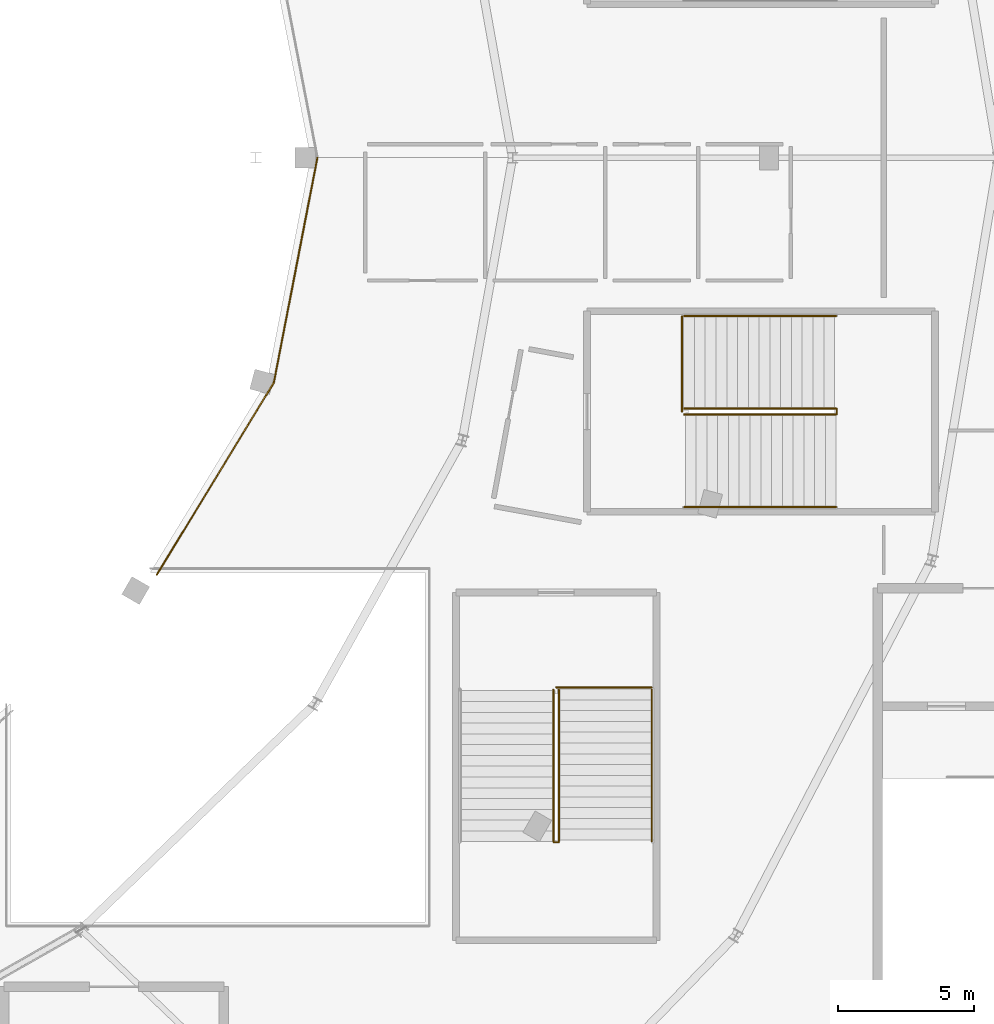
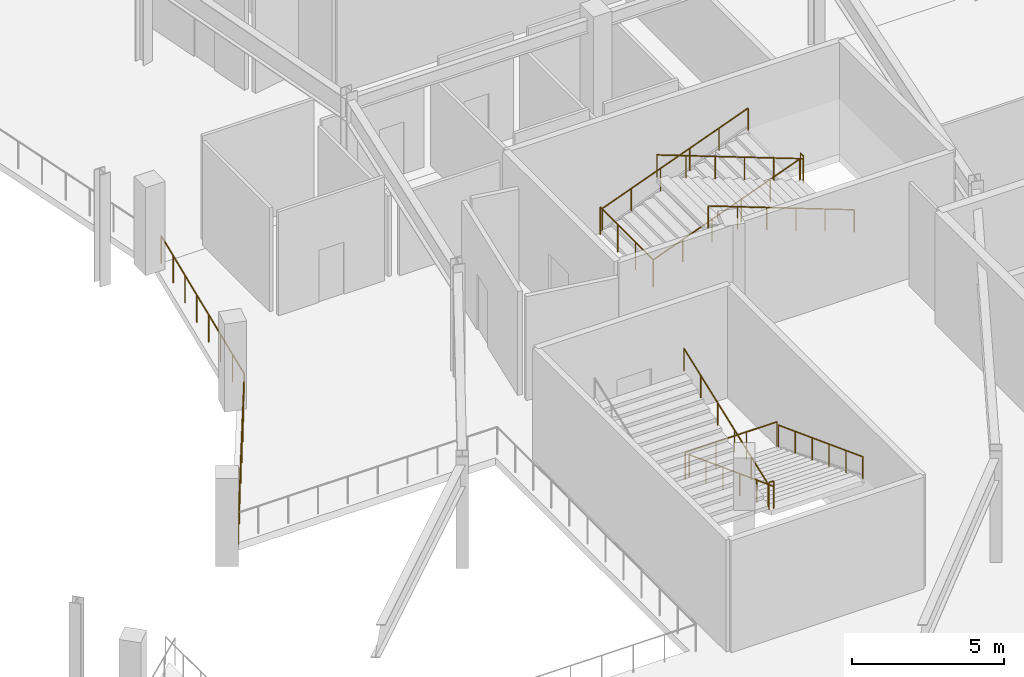
# One storey, part 120 of 123: 13 railings.
"""IFC4 building model written with IfcOpenShell, lengths in metres."""

from ifc_helpers import new_model, si_unit, direction, frame, origin, origin_2d, place, context, subcontext, project, spatial, circle, extrude, material, type_object, element, save


model = new_model("IFC4")

# Units and contexts
model_context = context("Model", 3, precision=1e-05, world=origin(), true_north=direction((0.0, 1.0)))
body_context = subcontext(model_context, "Body", "Model", "MODEL_VIEW")
ifc_project = project(units=[si_unit("LENGTHUNIT", "METRE"), si_unit("AREAUNIT", "SQUARE_METRE"), si_unit("VOLUMEUNIT", "CUBIC_METRE"), si_unit("PLANEANGLEUNIT", "RADIAN"), si_unit("MASSUNIT", "GRAM", prefix="KILO")], contexts=[model_context])

# Site, building, storey
site_placement = place(None, origin())
site = spatial("IfcSite", under=ifc_project, at=site_placement, CompositionType="ELEMENT")
building_placement = place(site_placement, origin())
building = spatial("IfcBuilding", under=site, at=building_placement, Name="Kalgoora Escarpment Arena", CompositionType="ELEMENT")
storey_placement = place(building_placement, frame((0.0, 0.0, 9.89990234375)))
storey = spatial("IfcBuildingStorey", under=building, at=storey_placement, Name="L02", CompositionType="ELEMENT", Elevation=9.89990234375)

# Railings
ifc_material_1 = material(Name="Galvanised & powdercoated tubular steel", Category="steel")
railing_type_1 = type_object("IfcRailingType", Name="RAL-GUARD-1120", PredefinedType="GUARDRAIL", material=ifc_material_1)
railing_1_placement = place(storey_placement, frame((158.280029296875, 54.800048828125, 2.25)))
element("IfcRailing", 1, at=railing_1_placement, inside=storey, type_object=railing_type_1, Name="ST22 L02 half-landing well guard", PredefinedType="GUARDRAIL", context=body_context, shape_type="SweptSolid", body=[
    extrude(circle(Radius=0.02392578125, at=origin_2d()), frame((0.0, 0.0, 1.09619140625), z_axis=(0.0, -1.0, 0.0), x_axis=(1.0, 0.0, 0.0)), (0.0, 0.0, 1.0), 0.199951171875),
    extrude(circle(Radius=0.02099609375, at=origin_2d()), origin(), (0.0, 0.0, 1.0), 1.072021484375),
    extrude(circle(Radius=0.02099609375, at=origin_2d()), frame((0.0, -0.199951171875, 0.0)), (0.0, 0.0, 1.0), 1.072021484375),
])
railing_2_placement = place(storey_placement, frame((152.610107421875, 58.18994140625, 0.0)))
element("IfcRailing", 2, at=railing_2_placement, inside=storey, type_object=railing_type_1, Name="ST22 L02 floor landing well guard", PredefinedType="GUARDRAIL", context=body_context, shape_type="SweptSolid", body=[
    extrude(circle(Radius=0.02392578125, at=origin_2d()), frame((0.0, 0.0, 1.09619140625), z_axis=(0.0, -1.0, 0.0), x_axis=(1.0, 0.0, 0.0)), (0.0, 0.0, 1.0), 3.489990234375),
    extrude(circle(Radius=0.02099609375, at=origin_2d()), origin(), (0.0, 0.0, 1.0), 1.072021484375),
    extrude(circle(Radius=0.02099609375, at=origin_2d()), frame((0.0, -1.163330078125, 0.0)), (0.0, 0.0, 1.0), 1.072021484375),
    extrude(circle(Radius=0.02099609375, at=origin_2d()), frame((0.0, -2.32666015625, 0.0)), (0.0, 0.0, 1.0), 1.072021484375),
    extrude(circle(Radius=0.02099609375, at=origin_2d()), frame((0.0, -3.489990234375, 0.0)), (0.0, 0.0, 1.0), 1.072021484375),
])
railing_3_placement = place(storey_placement, frame((148.090087890625, 38.919921875, 2.25)))
element("IfcRailing", 3, at=railing_3_placement, inside=storey, type_object=railing_type_1, Name="ST24 L02 half-landing well guard", PredefinedType="GUARDRAIL", context=body_context, shape_type="SweptSolid", body=[
    extrude(circle(Radius=0.02392578125, at=origin_2d()), frame((0.0, 0.0, 1.09619140625), z_axis=(-1.0, 0.0, 0.0), x_axis=(0.0, -1.0, 0.0)), (0.0, 0.0, 1.0), 0.18017578125),
    extrude(circle(Radius=0.02099609375, at=origin_2d()), origin(), (0.0, 0.0, 1.0), 1.072021484375),
    extrude(circle(Radius=0.02099609375, at=origin_2d()), frame((-0.18017578125, 0.0, 0.0)), (0.0, 0.0, 1.0), 1.072021484375),
])
railing_4_placement = place(storey_placement, frame((151.489990234375, 44.590087890625, 0.0)))
element("IfcRailing", 4, at=railing_4_placement, inside=storey, type_object=railing_type_1, Name="ST24 L02 floor landing well guard", PredefinedType="GUARDRAIL", context=body_context, shape_type="SweptSolid", body=[
    extrude(circle(Radius=0.02392578125, at=origin_2d()), frame((0.0, 0.0, 1.09619140625), z_axis=(-1.0, 0.0, 0.0), x_axis=(0.0, -1.0, 0.0)), (0.0, 0.0, 1.0), 3.489990234375),
    extrude(circle(Radius=0.02099609375, at=origin_2d()), origin(), (0.0, 0.0, 1.0), 1.072021484375),
    extrude(circle(Radius=0.02099609375, at=origin_2d()), frame((-1.163330078125, 0.0, 0.0)), (0.0, 0.0, 1.0), 1.072021484375),
    extrude(circle(Radius=0.02099609375, at=origin_2d()), frame((-2.32666015625, 0.0, 0.0)), (0.0, 0.0, 1.0), 1.072021484375),
    extrude(circle(Radius=0.02099609375, at=origin_2d()), frame((-3.489990234375, 0.0, 0.0)), (0.0, 0.0, 1.0), 1.072021484375),
])
railing_5_placement = place(storey_placement, frame((133.3662109375, 48.719970703125, 0.0)))
element("IfcRailing", 5, at=railing_5_placement, inside=storey, type_object=railing_type_1, Name="L02 concourse bowl balustrade 23", PredefinedType="GUARDRAIL", context=body_context, shape_type="SweptSolid", body=[
    extrude(circle(Radius=0.02392578125, at=origin_2d()), frame((0.0, 0.0, 1.09619140625), z_axis=(0.520318182164, 0.853972475733, 0.0), x_axis=(-0.853972475733, 0.520318182164, 0.0)), (0.0, 0.0, 1.0), 8.239990234375),
    extrude(circle(Radius=0.02099609375, at=origin_2d()), origin(), (0.0, 0.0, 1.0), 1.072021484375),
    extrude(circle(Radius=0.02099609375, at=origin_2d()), frame((0.612548828125, 1.005126953125, 0.0)), (0.0, 0.0, 1.0), 1.072021484375),
    extrude(circle(Radius=0.02099609375, at=origin_2d()), frame((1.224853515625, 2.010498046875, 0.0)), (0.0, 0.0, 1.0), 1.072021484375),
    extrude(circle(Radius=0.02099609375, at=origin_2d()), frame((1.83740234375, 3.015625, 0.0)), (0.0, 0.0, 1.0), 1.072021484375),
    extrude(circle(Radius=0.02099609375, at=origin_2d()), frame((2.449951171875, 4.02099609375, 0.0)), (0.0, 0.0, 1.0), 1.072021484375),
    extrude(circle(Radius=0.02099609375, at=origin_2d()), frame((3.0625, 5.026123046875, 0.0)), (0.0, 0.0, 1.0), 1.072021484375),
    extrude(circle(Radius=0.02099609375, at=origin_2d()), frame((3.6748046875, 6.031494140625, 0.0)), (0.0, 0.0, 1.0), 1.072021484375),
    extrude(circle(Radius=0.02099609375, at=origin_2d()), frame((4.287353515625, 7.03662109375, 0.0)), (0.0, 0.0, 1.0), 1.072021484375),
])
railing_6_placement = place(storey_placement, frame((137.653564453125, 55.756591796875, 0.0)))
element("IfcRailing", 6, at=railing_6_placement, inside=storey, type_object=railing_type_1, Name="L02 concourse bowl balustrade 24", PredefinedType="GUARDRAIL", context=body_context, shape_type="SweptSolid", body=[
    extrude(circle(Radius=0.02392578125, at=origin_2d()), frame((0.0, 0.0, 1.09619140625), z_axis=(0.190129490405, 0.981759021796, 0.0), x_axis=(-0.981759021796, 0.190129490405, 0.0)), (0.0, 0.0, 1.0), 8.396484375),
    extrude(circle(Radius=0.02099609375, at=origin_2d()), origin(), (0.0, 0.0, 1.0), 1.072021484375),
    extrude(circle(Radius=0.02099609375, at=origin_2d()), frame((0.22802734375, 1.177734375, 0.0)), (0.0, 0.0, 1.0), 1.072021484375),
    extrude(circle(Radius=0.02099609375, at=origin_2d()), frame((0.4560546875, 2.355224609375, 0.0)), (0.0, 0.0, 1.0), 1.072021484375),
    extrude(circle(Radius=0.02099609375, at=origin_2d()), frame((0.68408203125, 3.532958984375, 0.0)), (0.0, 0.0, 1.0), 1.072021484375),
    extrude(circle(Radius=0.02099609375, at=origin_2d()), frame((0.912353515625, 4.71044921875, 0.0)), (0.0, 0.0, 1.0), 1.072021484375),
    extrude(circle(Radius=0.02099609375, at=origin_2d()), frame((1.140380859375, 5.88818359375, 0.0)), (0.0, 0.0, 1.0), 1.072021484375),
    extrude(circle(Radius=0.02099609375, at=origin_2d()), frame((1.368408203125, 7.065673828125, 0.0)), (0.0, 0.0, 1.0), 1.072021484375),
    extrude(circle(Radius=0.02099609375, at=origin_2d()), frame((1.596435546875, 8.243408203125, 0.0)), (0.0, 0.0, 1.0), 1.072021484375),
])
ifc_material_2 = material(Name="Brushed stainless steel 316 handrail", Category="steel")
railing_type_2 = type_object("IfcRailingType", Name="RAL-HAND-920", PredefinedType="HANDRAIL", material=ifc_material_2)
for number, where, name in (
    (7, (152.68994140625, 58.199951171875, 0.110107421875), "ST22 L02 pitched stair handrail F1L"),
    (8, (152.68994140625, 54.81005859375, 0.110107421875), "ST22 L02 pitched stair handrail F1R"),
):
    element("IfcRailing", number, at=place(storey_placement, frame(where)), inside=storey, type_object=railing_type_2, Name=name, PredefinedType="HANDRAIL", context=body_context, shape_type="SweptSolid", body=[
        extrude(circle(Radius=0.02392578125, at=origin_2d()), frame((0.0, 0.0, 0.89599609375), z_axis=(0.935492612948, 0.0, 0.353346248203), x_axis=(0.0, 1.0, 0.0)), (0.0, 0.0, 1.0), 5.943359375),
        extrude(circle(Radius=0.02099609375, at=origin_2d()), origin(), (0.0, 0.0, 1.0), 0.871826171875),
        extrude(circle(Radius=0.02099609375, at=origin_2d()), frame((1.112060546875, 0.0, 0.419921875)), (0.0, 0.0, 1.0), 0.871826171875),
        extrude(circle(Radius=0.02099609375, at=origin_2d()), frame((2.22412109375, 0.0, 0.840087890625)), (0.0, 0.0, 1.0), 0.871826171875),
        extrude(circle(Radius=0.02099609375, at=origin_2d()), frame((3.3359375, 0.0, 1.260009765625)), (0.0, 0.0, 1.0), 0.871826171875),
        extrude(circle(Radius=0.02099609375, at=origin_2d()), frame((4.447998046875, 0.0, 1.68017578125)), (0.0, 0.0, 1.0), 0.871826171875),
        extrude(circle(Radius=0.02099609375, at=origin_2d()), frame((5.56005859375, 0.0, 2.10009765625)), (0.0, 0.0, 1.0), 0.871826171875),
    ])
for number, where, name in (
    (9, (158.25, 54.590087890625, 2.360107421875), "ST22 L02 pitched stair handrail F2L"),
    (10, (158.25, 51.199951171875, 2.360107421875), "ST22 L02 pitched stair handrail F2R"),
):
    element("IfcRailing", number, at=place(storey_placement, frame(where)), inside=storey, type_object=railing_type_2, Name=name, PredefinedType="HANDRAIL", context=body_context, shape_type="SweptSolid", body=[
        extrude(circle(Radius=0.02392578125, at=origin_2d()), frame((0.0, 0.0, 0.89599609375), z_axis=(-0.935492612948, 0.0, 0.353346248203), x_axis=(0.0, -1.0, 0.0)), (0.0, 0.0, 1.0), 5.943359375),
        extrude(circle(Radius=0.02099609375, at=origin_2d()), origin(), (0.0, 0.0, 1.0), 0.871826171875),
        extrude(circle(Radius=0.02099609375, at=origin_2d()), frame((-1.112060546875, 0.0, 0.419921875)), (0.0, 0.0, 1.0), 0.871826171875),
        extrude(circle(Radius=0.02099609375, at=origin_2d()), frame((-2.22412109375, 0.0, 0.840087890625)), (0.0, 0.0, 1.0), 0.871826171875),
        extrude(circle(Radius=0.02099609375, at=origin_2d()), frame((-3.3359375, 0.0, 1.260009765625)), (0.0, 0.0, 1.0), 0.871826171875),
        extrude(circle(Radius=0.02099609375, at=origin_2d()), frame((-4.447998046875, 0.0, 1.68017578125)), (0.0, 0.0, 1.0), 0.871826171875),
        extrude(circle(Radius=0.02099609375, at=origin_2d()), frame((-5.56005859375, 0.0, 2.10009765625)), (0.0, 0.0, 1.0), 0.871826171875),
    ])
for number, where, name in (
    (11, (151.5, 44.510009765625, 0.110107421875), "ST24 L02 pitched stair handrail F1L"),
    (12, (148.10009765625, 44.510009765625, 0.110107421875), "ST24 L02 pitched stair handrail F1R"),
):
    element("IfcRailing", number, at=place(storey_placement, frame(where)), inside=storey, type_object=railing_type_2, Name=name, PredefinedType="HANDRAIL", context=body_context, shape_type="SweptSolid", body=[
        extrude(circle(Radius=0.02392578125, at=origin_2d()), frame((0.0, 0.0, 0.89599609375), z_axis=(0.0, -0.935492612948, 0.353346248203), x_axis=(1.0, 0.0, 0.0)), (0.0, 0.0, 1.0), 5.943359375),
        extrude(circle(Radius=0.02099609375, at=origin_2d()), origin(), (0.0, 0.0, 1.0), 0.871826171875),
        extrude(circle(Radius=0.02099609375, at=origin_2d()), frame((0.0, -1.112060546875, 0.419921875)), (0.0, 0.0, 1.0), 0.871826171875),
        extrude(circle(Radius=0.02099609375, at=origin_2d()), frame((0.0, -2.22412109375, 0.840087890625)), (0.0, 0.0, 1.0), 0.871826171875),
        extrude(circle(Radius=0.02099609375, at=origin_2d()), frame((0.0, -3.3359375, 1.260009765625)), (0.0, 0.0, 1.0), 0.871826171875),
        extrude(circle(Radius=0.02099609375, at=origin_2d()), frame((0.0, -4.447998046875, 1.68017578125)), (0.0, 0.0, 1.0), 0.871826171875),
        extrude(circle(Radius=0.02099609375, at=origin_2d()), frame((0.0, -5.56005859375, 2.10009765625)), (0.0, 0.0, 1.0), 0.871826171875),
    ])
railing_7_placement = place(storey_placement, frame((147.89990234375, 38.949951171875, 2.360107421875)))
element("IfcRailing", 13, at=railing_7_placement, inside=storey, type_object=railing_type_2, Name="ST24 L02 pitched stair handrail F2L", PredefinedType="HANDRAIL", context=body_context, shape_type="SweptSolid", body=[
    extrude(circle(Radius=0.02392578125, at=origin_2d()), frame((0.0, 0.0, 0.89599609375), z_axis=(0.0, 0.935492612948, 0.353346248203), x_axis=(-1.0, 0.0, 0.0)), (0.0, 0.0, 1.0), 5.943359375),
    extrude(circle(Radius=0.02099609375, at=origin_2d()), origin(), (0.0, 0.0, 1.0), 0.871826171875),
    extrude(circle(Radius=0.02099609375, at=origin_2d()), frame((0.0, 1.112060546875, 0.419921875)), (0.0, 0.0, 1.0), 0.871826171875),
    extrude(circle(Radius=0.02099609375, at=origin_2d()), frame((0.0, 2.22412109375, 0.840087890625)), (0.0, 0.0, 1.0), 0.871826171875),
    extrude(circle(Radius=0.02099609375, at=origin_2d()), frame((0.0, 3.3359375, 1.260009765625)), (0.0, 0.0, 1.0), 0.871826171875),
    extrude(circle(Radius=0.02099609375, at=origin_2d()), frame((0.0, 4.447998046875, 1.68017578125)), (0.0, 0.0, 1.0), 0.871826171875),
    extrude(circle(Radius=0.02099609375, at=origin_2d()), frame((0.0, 5.56005859375, 2.10009765625)), (0.0, 0.0, 1.0), 0.871826171875),
])

save(model, "model.ifc")
